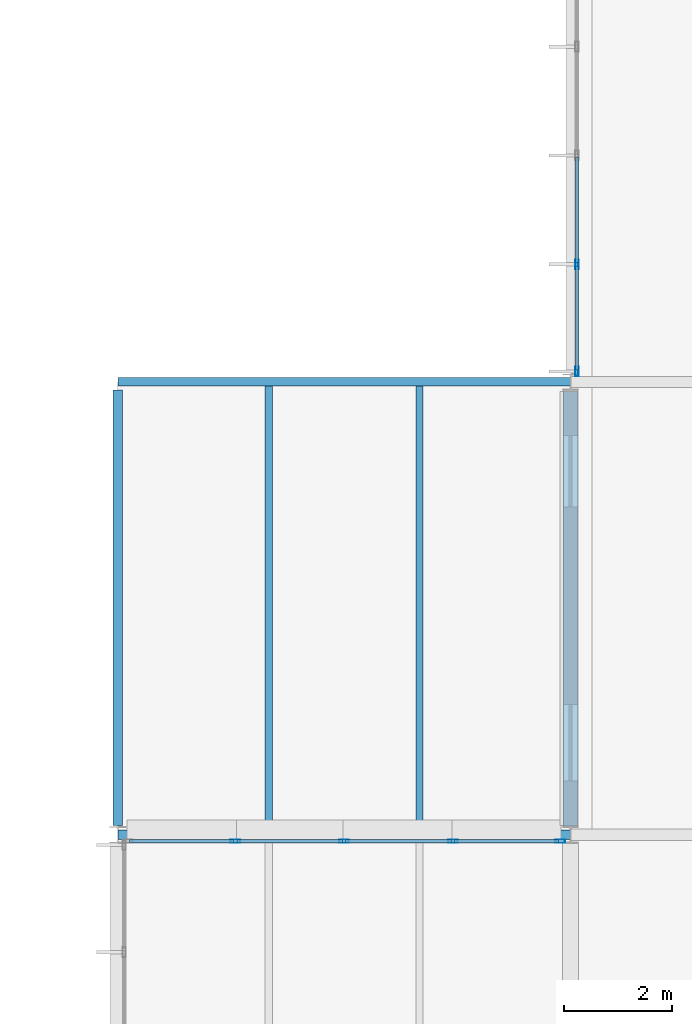
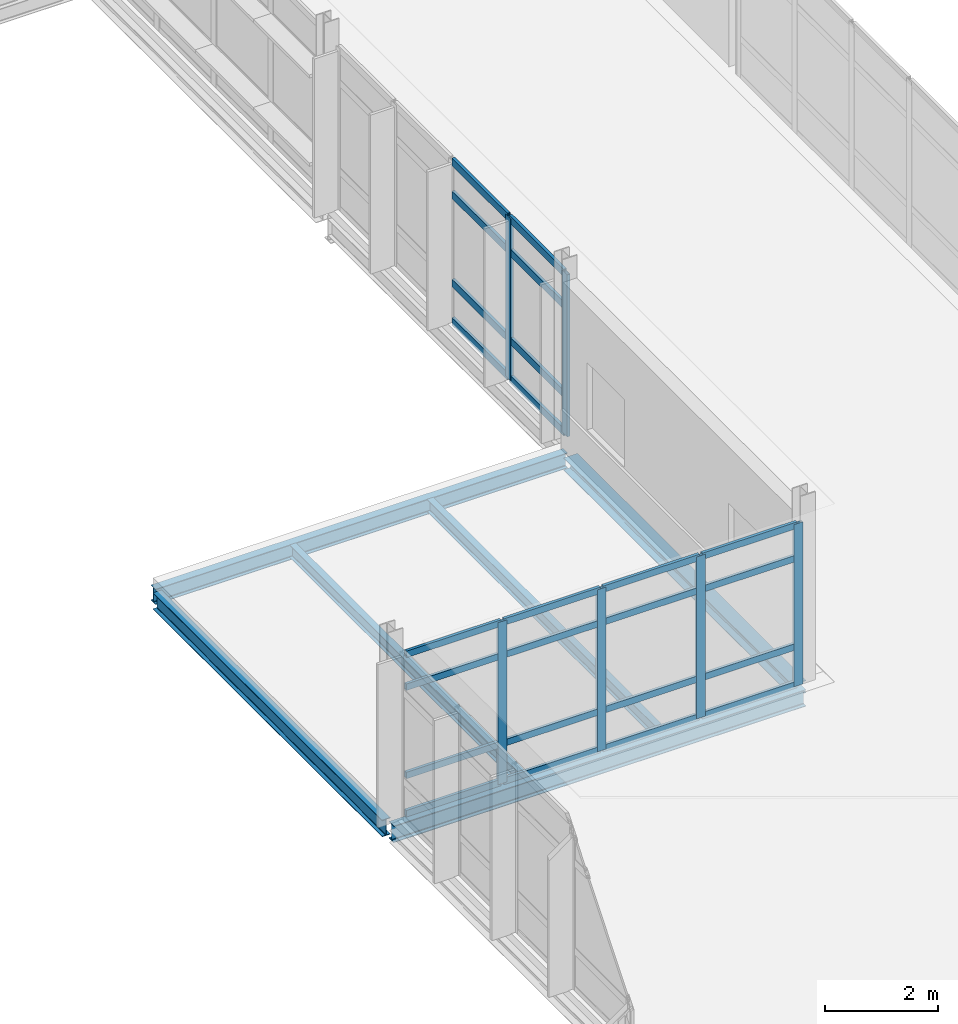
# One storey, part 31 of 66: 30 members, 6 beams, 2 elements without a shape of their own.
"""IFC4 building model written with IfcOpenShell, lengths in metres."""

from ifc_helpers import new_model, si_unit, direction, frame, origin, origin_2d, place, context, subcontext, project, spatial, hollow_rectangle, i_section, extrude, material, material_profile, profile_set, type_object, element, aggregate, save


model = new_model("IFC4")

# Units and contexts
model_context = context("Model", 3, precision=1e-05, world=origin(), true_north=direction((0.0, 1.0)))
body_context = subcontext(model_context, "Body", "Model", "MODEL_VIEW")
ifc_project = project(units=[si_unit("LENGTHUNIT", "METRE"), si_unit("AREAUNIT", "SQUARE_METRE"), si_unit("VOLUMEUNIT", "CUBIC_METRE"), si_unit("PLANEANGLEUNIT", "RADIAN"), si_unit("MASSUNIT", "GRAM", prefix="KILO")], contexts=[model_context])

# Site, building, storey
site_placement = place(None, origin())
site = spatial("IfcSite", under=ifc_project, at=site_placement, CompositionType="ELEMENT")
building_placement = place(site_placement, origin())
building = spatial("IfcBuilding", under=site, at=building_placement, Name="Mersafa Astral City Hall", CompositionType="ELEMENT")
storey_placement = place(building_placement, frame((0.0, 0.0, 22.050048828125)))
storey = spatial("IfcBuildingStorey", under=building, at=storey_placement, Name="L05", CompositionType="ELEMENT", Elevation=22.050048828125)

# Curtain wall, members
ifc_material_1 = material(Name="Anodised bronze aluminium framing", Category="aluminium")
curtain_wall_type_1 = type_object("IfcCurtainWallType", Name="ENV-CW-1", PredefinedType="USERDEFINED", material=ifc_material_1)
curtain_wall_1_placement = place(storey_placement, origin())
curtain_wall_1 = element("IfcCurtainWall", 1, at=curtain_wall_1_placement, inside=storey, type_object=curtain_wall_type_1, Name="L05 Unitised solar curtain wall 246", ObjectType="UNITISED CURTAIN WALL", PredefinedType="USERDEFINED")
ifc_material_profile_1 = material_profile(ifc_material_1, hollow_rectangle(XDim=0.06005859375, YDim=0.179931640625, WallThickness=0.00390625, at=origin_2d()), Name="RHS 60x180x4")
ifc_profile_set_1 = profile_set([ifc_material_profile_1], Name="Anodised bronze aluminium framing")
member_type_1 = type_object("IfcMemberType", Name="ENV-CW-MUL-1", PredefinedType="MULLION", material=ifc_profile_set_1)
member_1_placement = place(storey_placement, frame((168.1201171875, 86.180908203125, -0.001953125), z_axis=(0.0, 0.0, 1.0), x_axis=(1.0, 0.0, 0.0)))
member_1 = element("IfcMember", 2, at=member_1_placement, type_object=member_type_1, Name="CW-1 mullion 4", PredefinedType="MULLION", context=body_context, shape_type="SweptSolid", body=[
    extrude(hollow_rectangle(XDim=0.06005859375, YDim=0.179931640625, WallThickness=0.00390625, at=origin_2d()), origin(), (0.0, 0.0, 1.0), 3.489013671875),
])
member_2_placement = place(storey_placement, frame((168.1201171875, 84.19189453125, -0.001953125), z_axis=(0.0, 0.0, 1.0), x_axis=(1.0, 0.0, 0.0)))
member_2 = element("IfcMember", 3, at=member_2_placement, type_object=member_type_1, Name="CW-1 mullion 5", PredefinedType="MULLION", context=body_context, shape_type="SweptSolid", body=[
    extrude(hollow_rectangle(XDim=0.06005859375, YDim=0.179931640625, WallThickness=0.00390625, at=origin_2d()), origin(), (0.0, 0.0, 1.0), 3.489013671875),
])

curtain_wall_type_2 = type_object("IfcCurtainWallType", Name="ENV-CW-2", PredefinedType="USERDEFINED", material=ifc_material_1)
curtain_wall_2_placement = place(storey_placement, origin())
curtain_wall_2 = element("IfcCurtainWall", 4, at=curtain_wall_2_placement, inside=storey, type_object=curtain_wall_type_2, Name="L05 Unitised solar curtain wall 247", ObjectType="UNITISED CURTAIN WALL", PredefinedType="USERDEFINED")
member_3_placement = place(storey_placement, frame((167.80810546875, 75.47998046875, -0.001953125), z_axis=(0.0, 0.0, 1.0), x_axis=(0.0, -1.0, 0.0)))
member_3 = element("IfcMember", 5, at=member_3_placement, type_object=member_type_1, Name="CW-2 mullion 1", PredefinedType="MULLION", context=body_context, shape_type="SweptSolid", body=[
    extrude(hollow_rectangle(XDim=0.06005859375, YDim=0.179931640625, WallThickness=0.00390625, at=origin_2d()), origin(), (0.0, 0.0, 1.0), 3.489013671875),
])
member_4_placement = place(storey_placement, frame((165.819091796875, 75.47998046875, -0.001953125), z_axis=(0.0, 0.0, 1.0), x_axis=(0.0, -1.0, 0.0)))
member_4 = element("IfcMember", 6, at=member_4_placement, type_object=member_type_1, Name="CW-2 mullion 2", PredefinedType="MULLION", context=body_context, shape_type="SweptSolid", body=[
    extrude(hollow_rectangle(XDim=0.06005859375, YDim=0.179931640625, WallThickness=0.00390625, at=origin_2d()), origin(), (0.0, 0.0, 1.0), 3.489013671875),
])
member_5_placement = place(storey_placement, frame((163.800048828125, 75.47998046875, -0.001953125), z_axis=(0.0, 0.0, 1.0), x_axis=(0.0, -1.0, 0.0)))
member_5 = element("IfcMember", 7, at=member_5_placement, type_object=member_type_1, Name="CW-2 mullion 3", PredefinedType="MULLION", context=body_context, shape_type="SweptSolid", body=[
    extrude(hollow_rectangle(XDim=0.06005859375, YDim=0.179931640625, WallThickness=0.00390625, at=origin_2d()), origin(), (0.0, 0.0, 1.0), 3.489013671875),
])
member_6_placement = place(storey_placement, frame((161.781005859375, 75.47998046875, -0.001953125), z_axis=(0.0, 0.0, 1.0), x_axis=(0.0, -1.0, 0.0)))
member_6 = element("IfcMember", 8, at=member_6_placement, type_object=member_type_1, Name="CW-2 mullion 4", PredefinedType="MULLION", context=body_context, shape_type="SweptSolid", body=[
    extrude(hollow_rectangle(XDim=0.06005859375, YDim=0.179931640625, WallThickness=0.00390625, at=origin_2d()), origin(), (0.0, 0.0, 1.0), 3.489013671875),
])
ifc_material_profile_2 = material_profile(ifc_material_1, hollow_rectangle(XDim=0.06005859375, YDim=0.139892578125, WallThickness=0.00390625, at=origin_2d()), Name="RHS 60x140x4")
ifc_profile_set_2 = profile_set([ifc_material_profile_2], Name="Anodised bronze aluminium framing")
member_type_2 = type_object("IfcMemberType", Name="ENV-CW-TRN-1", PredefinedType="USERDEFINED", material=ifc_profile_set_2)
member_7_placement = place(storey_placement, frame((167.778076171875, 75.47998046875, 0.02783203125), z_axis=(-1.0, 0.0, 0.0), x_axis=(0.0, -1.0, 0.0)))
member_7 = element("IfcMember", 9, at=member_7_placement, type_object=member_type_2, Name="CW-2 transom 1.1", ObjectType="TRANSOM", PredefinedType="USERDEFINED", context=body_context, shape_type="SweptSolid", body=[
    extrude(hollow_rectangle(XDim=0.06005859375, YDim=0.139892578125, WallThickness=0.00390625, at=origin_2d()), origin(), (0.0, 0.0, 1.0), 1.928955078125),
])
member_8_placement = place(storey_placement, frame((167.778076171875, 75.47998046875, 0.849853515625), z_axis=(-1.0, 0.0, 0.0), x_axis=(0.0, -1.0, 0.0)))
member_8 = element("IfcMember", 10, at=member_8_placement, type_object=member_type_2, Name="CW-2 transom 1.2", ObjectType="TRANSOM", PredefinedType="USERDEFINED", context=body_context, shape_type="SweptSolid", body=[
    extrude(hollow_rectangle(XDim=0.06005859375, YDim=0.139892578125, WallThickness=0.00390625, at=origin_2d()), origin(), (0.0, 0.0, 1.0), 1.928955078125),
])
member_9_placement = place(storey_placement, frame((167.778076171875, 75.47998046875, 2.75), z_axis=(-1.0, 0.0, 0.0), x_axis=(0.0, -1.0, 0.0)))
member_9 = element("IfcMember", 11, at=member_9_placement, type_object=member_type_2, Name="CW-2 transom 1.3", ObjectType="TRANSOM", PredefinedType="USERDEFINED", context=body_context, shape_type="SweptSolid", body=[
    extrude(hollow_rectangle(XDim=0.06005859375, YDim=0.139892578125, WallThickness=0.00390625, at=origin_2d()), origin(), (0.0, 0.0, 1.0), 1.928955078125),
])
member_10_placement = place(storey_placement, frame((167.778076171875, 75.47998046875, 3.45703125), z_axis=(-1.0, 0.0, 0.0), x_axis=(0.0, -1.0, 0.0)))
member_10 = element("IfcMember", 12, at=member_10_placement, type_object=member_type_2, Name="CW-2 transom 1.4", ObjectType="TRANSOM", PredefinedType="USERDEFINED", context=body_context, shape_type="SweptSolid", body=[
    extrude(hollow_rectangle(XDim=0.06005859375, YDim=0.139892578125, WallThickness=0.00390625, at=origin_2d()), origin(), (0.0, 0.0, 1.0), 1.928955078125),
])
member_11_placement = place(storey_placement, frame((165.7890625, 75.47998046875, 0.02783203125), z_axis=(-1.0, 0.0, 0.0), x_axis=(0.0, -1.0, 0.0)))
member_11 = element("IfcMember", 13, at=member_11_placement, type_object=member_type_2, Name="CW-2 transom 2.1", ObjectType="TRANSOM", PredefinedType="USERDEFINED", context=body_context, shape_type="SweptSolid", body=[
    extrude(hollow_rectangle(XDim=0.06005859375, YDim=0.139892578125, WallThickness=0.00390625, at=origin_2d()), origin(), (0.0, 0.0, 1.0), 1.958984375),
])
member_12_placement = place(storey_placement, frame((165.7890625, 75.47998046875, 0.849853515625), z_axis=(-1.0, 0.0, 0.0), x_axis=(0.0, -1.0, 0.0)))
member_12 = element("IfcMember", 14, at=member_12_placement, type_object=member_type_2, Name="CW-2 transom 2.2", ObjectType="TRANSOM", PredefinedType="USERDEFINED", context=body_context, shape_type="SweptSolid", body=[
    extrude(hollow_rectangle(XDim=0.06005859375, YDim=0.139892578125, WallThickness=0.00390625, at=origin_2d()), origin(), (0.0, 0.0, 1.0), 1.958984375),
])
member_13_placement = place(storey_placement, frame((165.7890625, 75.47998046875, 2.75), z_axis=(-1.0, 0.0, 0.0), x_axis=(0.0, -1.0, 0.0)))
member_13 = element("IfcMember", 15, at=member_13_placement, type_object=member_type_2, Name="CW-2 transom 2.3", ObjectType="TRANSOM", PredefinedType="USERDEFINED", context=body_context, shape_type="SweptSolid", body=[
    extrude(hollow_rectangle(XDim=0.06005859375, YDim=0.139892578125, WallThickness=0.00390625, at=origin_2d()), origin(), (0.0, 0.0, 1.0), 1.958984375),
])
member_14_placement = place(storey_placement, frame((165.7890625, 75.47998046875, 3.45703125), z_axis=(-1.0, 0.0, 0.0), x_axis=(0.0, -1.0, 0.0)))
member_14 = element("IfcMember", 16, at=member_14_placement, type_object=member_type_2, Name="CW-2 transom 2.4", ObjectType="TRANSOM", PredefinedType="USERDEFINED", context=body_context, shape_type="SweptSolid", body=[
    extrude(hollow_rectangle(XDim=0.06005859375, YDim=0.139892578125, WallThickness=0.00390625, at=origin_2d()), origin(), (0.0, 0.0, 1.0), 1.958984375),
])
member_15_placement = place(storey_placement, frame((163.77001953125, 75.47998046875, 0.02783203125), z_axis=(-1.0, 0.0, 0.0), x_axis=(0.0, -1.0, 0.0)))
member_15 = element("IfcMember", 17, at=member_15_placement, type_object=member_type_2, Name="CW-2 transom 3.1", ObjectType="TRANSOM", PredefinedType="USERDEFINED", context=body_context, shape_type="SweptSolid", body=[
    extrude(hollow_rectangle(XDim=0.06005859375, YDim=0.139892578125, WallThickness=0.00390625, at=origin_2d()), origin(), (0.0, 0.0, 1.0), 1.958984375),
])
member_16_placement = place(storey_placement, frame((163.77001953125, 75.47998046875, 0.849853515625), z_axis=(-1.0, 0.0, 0.0), x_axis=(0.0, -1.0, 0.0)))
member_16 = element("IfcMember", 18, at=member_16_placement, type_object=member_type_2, Name="CW-2 transom 3.2", ObjectType="TRANSOM", PredefinedType="USERDEFINED", context=body_context, shape_type="SweptSolid", body=[
    extrude(hollow_rectangle(XDim=0.06005859375, YDim=0.139892578125, WallThickness=0.00390625, at=origin_2d()), origin(), (0.0, 0.0, 1.0), 1.958984375),
])
member_17_placement = place(storey_placement, frame((163.77001953125, 75.47998046875, 2.75), z_axis=(-1.0, 0.0, 0.0), x_axis=(0.0, -1.0, 0.0)))
member_17 = element("IfcMember", 19, at=member_17_placement, type_object=member_type_2, Name="CW-2 transom 3.3", ObjectType="TRANSOM", PredefinedType="USERDEFINED", context=body_context, shape_type="SweptSolid", body=[
    extrude(hollow_rectangle(XDim=0.06005859375, YDim=0.139892578125, WallThickness=0.00390625, at=origin_2d()), origin(), (0.0, 0.0, 1.0), 1.958984375),
])
member_18_placement = place(storey_placement, frame((163.77001953125, 75.47998046875, 3.45703125), z_axis=(-1.0, 0.0, 0.0), x_axis=(0.0, -1.0, 0.0)))
member_18 = element("IfcMember", 20, at=member_18_placement, type_object=member_type_2, Name="CW-2 transom 3.4", ObjectType="TRANSOM", PredefinedType="USERDEFINED", context=body_context, shape_type="SweptSolid", body=[
    extrude(hollow_rectangle(XDim=0.06005859375, YDim=0.139892578125, WallThickness=0.00390625, at=origin_2d()), origin(), (0.0, 0.0, 1.0), 1.958984375),
])
member_19_placement = place(storey_placement, frame((161.7509765625, 75.47998046875, 0.02783203125), z_axis=(-1.0, 0.0, 0.0), x_axis=(0.0, -1.0, 0.0)))
member_19 = element("IfcMember", 21, at=member_19_placement, type_object=member_type_2, Name="CW-2 transom 4.1", ObjectType="TRANSOM", PredefinedType="USERDEFINED", context=body_context, shape_type="SweptSolid", body=[
    extrude(hollow_rectangle(XDim=0.06005859375, YDim=0.139892578125, WallThickness=0.00390625, at=origin_2d()), origin(), (0.0, 0.0, 1.0), 1.928955078125),
])
member_20_placement = place(storey_placement, frame((161.7509765625, 75.47998046875, 0.849853515625), z_axis=(-1.0, 0.0, 0.0), x_axis=(0.0, -1.0, 0.0)))
member_20 = element("IfcMember", 22, at=member_20_placement, type_object=member_type_2, Name="CW-2 transom 4.2", ObjectType="TRANSOM", PredefinedType="USERDEFINED", context=body_context, shape_type="SweptSolid", body=[
    extrude(hollow_rectangle(XDim=0.06005859375, YDim=0.139892578125, WallThickness=0.00390625, at=origin_2d()), origin(), (0.0, 0.0, 1.0), 1.928955078125),
])
member_21_placement = place(storey_placement, frame((161.7509765625, 75.47998046875, 2.75), z_axis=(-1.0, 0.0, 0.0), x_axis=(0.0, -1.0, 0.0)))
member_21 = element("IfcMember", 23, at=member_21_placement, type_object=member_type_2, Name="CW-2 transom 4.3", ObjectType="TRANSOM", PredefinedType="USERDEFINED", context=body_context, shape_type="SweptSolid", body=[
    extrude(hollow_rectangle(XDim=0.06005859375, YDim=0.139892578125, WallThickness=0.00390625, at=origin_2d()), origin(), (0.0, 0.0, 1.0), 1.928955078125),
])
member_22_placement = place(storey_placement, frame((161.7509765625, 75.47998046875, 3.45703125), z_axis=(-1.0, 0.0, 0.0), x_axis=(0.0, -1.0, 0.0)))
member_22 = element("IfcMember", 24, at=member_22_placement, type_object=member_type_2, Name="CW-2 transom 4.4", ObjectType="TRANSOM", PredefinedType="USERDEFINED", context=body_context, shape_type="SweptSolid", body=[
    extrude(hollow_rectangle(XDim=0.06005859375, YDim=0.139892578125, WallThickness=0.00390625, at=origin_2d()), origin(), (0.0, 0.0, 1.0), 1.928955078125),
])
aggregate(curtain_wall_2, [member_3, member_4, member_5, member_6, member_7, member_8, member_9, member_10, member_11, member_12, member_13, member_14, member_15, member_16, member_17, member_18, member_19, member_20, member_21, member_22])

# Member
ifc_material_profile_3 = material_profile(ifc_material_1, hollow_rectangle(XDim=0.06005859375, YDim=0.159912109375, WallThickness=0.00390625, at=origin_2d()), Name="RHS 60x160x4")
ifc_profile_set_3 = profile_set([ifc_material_profile_3], Name="Anodised bronze aluminium framing")
member_type_3 = type_object("IfcMemberType", Name="ENV-CW-TRN-2", PredefinedType="USERDEFINED", material=ifc_profile_set_3)
member_23_placement = place(storey_placement, frame((168.1201171875, 88.169921875, 0.02783203125), z_axis=(0.0, -1.0, 0.0), x_axis=(1.0, 0.0, 0.0)))
member_23 = element("IfcMember", 25, at=member_23_placement, type_object=member_type_3, Name="CW-1 transom 3.1", ObjectType="TRANSOM", PredefinedType="USERDEFINED", context=body_context, shape_type="SweptSolid", body=[
    extrude(hollow_rectangle(XDim=0.06005859375, YDim=0.159912109375, WallThickness=0.00390625, at=origin_2d()), origin(), (0.0, 0.0, 1.0), 1.958984375),
])

member_24_placement = place(storey_placement, frame((168.1201171875, 88.169921875, 0.849853515625), z_axis=(0.0, -1.0, 0.0), x_axis=(1.0, 0.0, 0.0)))
member_24 = element("IfcMember", 26, at=member_24_placement, type_object=member_type_3, Name="CW-1 transom 3.2", ObjectType="TRANSOM", PredefinedType="USERDEFINED", context=body_context, shape_type="SweptSolid", body=[
    extrude(hollow_rectangle(XDim=0.06005859375, YDim=0.159912109375, WallThickness=0.00390625, at=origin_2d()), origin(), (0.0, 0.0, 1.0), 1.958984375),
])

member_25_placement = place(storey_placement, frame((168.1201171875, 88.169921875, 2.75), z_axis=(0.0, -1.0, 0.0), x_axis=(1.0, 0.0, 0.0)))
member_25 = element("IfcMember", 27, at=member_25_placement, type_object=member_type_3, Name="CW-1 transom 3.3", ObjectType="TRANSOM", PredefinedType="USERDEFINED", context=body_context, shape_type="SweptSolid", body=[
    extrude(hollow_rectangle(XDim=0.06005859375, YDim=0.159912109375, WallThickness=0.00390625, at=origin_2d()), origin(), (0.0, 0.0, 1.0), 1.958984375),
])

member_26_placement = place(storey_placement, frame((168.1201171875, 88.169921875, 3.45703125), z_axis=(0.0, -1.0, 0.0), x_axis=(1.0, 0.0, 0.0)))
member_26 = element("IfcMember", 28, at=member_26_placement, type_object=member_type_3, Name="CW-1 transom 3.4", ObjectType="TRANSOM", PredefinedType="USERDEFINED", context=body_context, shape_type="SweptSolid", body=[
    extrude(hollow_rectangle(XDim=0.06005859375, YDim=0.159912109375, WallThickness=0.00390625, at=origin_2d()), origin(), (0.0, 0.0, 1.0), 1.958984375),
])

member_27_placement = place(storey_placement, frame((168.1201171875, 86.15087890625, 0.02783203125), z_axis=(0.0, -1.0, 0.0), x_axis=(1.0, 0.0, 0.0)))
member_27 = element("IfcMember", 29, at=member_27_placement, type_object=member_type_3, Name="CW-1 transom 4.1", ObjectType="TRANSOM", PredefinedType="USERDEFINED", context=body_context, shape_type="SweptSolid", body=[
    extrude(hollow_rectangle(XDim=0.06005859375, YDim=0.159912109375, WallThickness=0.00390625, at=origin_2d()), origin(), (0.0, 0.0, 1.0), 1.928955078125),
])

member_28_placement = place(storey_placement, frame((168.1201171875, 86.15087890625, 0.849853515625), z_axis=(0.0, -1.0, 0.0), x_axis=(1.0, 0.0, 0.0)))
member_28 = element("IfcMember", 30, at=member_28_placement, type_object=member_type_3, Name="CW-1 transom 4.2", ObjectType="TRANSOM", PredefinedType="USERDEFINED", context=body_context, shape_type="SweptSolid", body=[
    extrude(hollow_rectangle(XDim=0.06005859375, YDim=0.159912109375, WallThickness=0.00390625, at=origin_2d()), origin(), (0.0, 0.0, 1.0), 1.928955078125),
])

member_29_placement = place(storey_placement, frame((168.1201171875, 86.15087890625, 2.75), z_axis=(0.0, -1.0, 0.0), x_axis=(1.0, 0.0, 0.0)))
member_29 = element("IfcMember", 31, at=member_29_placement, type_object=member_type_3, Name="CW-1 transom 4.3", ObjectType="TRANSOM", PredefinedType="USERDEFINED", context=body_context, shape_type="SweptSolid", body=[
    extrude(hollow_rectangle(XDim=0.06005859375, YDim=0.159912109375, WallThickness=0.00390625, at=origin_2d()), origin(), (0.0, 0.0, 1.0), 1.928955078125),
])

member_30_placement = place(storey_placement, frame((168.1201171875, 86.15087890625, 3.45703125), z_axis=(0.0, -1.0, 0.0), x_axis=(1.0, 0.0, 0.0)))
member_30 = element("IfcMember", 32, at=member_30_placement, type_object=member_type_3, Name="CW-1 transom 4.4", ObjectType="TRANSOM", PredefinedType="USERDEFINED", context=body_context, shape_type="SweptSolid", body=[
    extrude(hollow_rectangle(XDim=0.06005859375, YDim=0.159912109375, WallThickness=0.00390625, at=origin_2d()), origin(), (0.0, 0.0, 1.0), 1.928955078125),
])

aggregate(curtain_wall_1, [member_1, member_2, member_23, member_24, member_25, member_26, member_27, member_28, member_29, member_30])

# Beams
ifc_material_2 = material(Name="Steel S355", Category="steel")
ifc_material_profile_4 = material_profile(ifc_material_2, i_section(OverallWidth=0.135009765625, OverallDepth=0.27001953125, WebThickness=0.006591796875, FlangeThickness=0.01025390625, FilletRadius=0.014892578125, at=origin_2d()), Name="IPE 270")
ifc_profile_set_4 = profile_set([ifc_material_profile_4], Name="Steel S355")
beam_type_1 = type_object("IfcBeamType", Name="STR-BM-JOIST-IPE270", PredefinedType="JOIST", material=ifc_profile_set_4)
for number, where, z_axis, x_axis, name in (
    (33, (162.39990234375, 75.679931640625, -0.3349609375), (0.0, 1.0, 0.0), (-1.0, 0.0, 0.0), "L05 Flat roof secondary joist 33"),
    (34, (165.199951171875, 75.679931640625, -0.3349609375), (0.0, 1.0, 0.0), (-1.0, 0.0, 0.0), "L05 Flat roof secondary joist 34"),
):
    element("IfcBeam", number, at=place(storey_placement, frame(where, z_axis=z_axis, x_axis=x_axis)), inside=storey, type_object=beam_type_1, Name=name, PredefinedType="JOIST", context=body_context, shape_type="SweptSolid", body=[
        extrude(i_section(OverallWidth=0.135009765625, OverallDepth=0.27001953125, WebThickness=0.006591796875, FlangeThickness=0.01025390625, FilletRadius=0.014892578125, at=origin_2d()), origin(), (0.0, 0.0, 1.0), 8.2451171875),
    ])
ifc_material_profile_5 = material_profile(ifc_material_2, i_section(OverallWidth=0.280029296875, OverallDepth=0.27001953125, WebThickness=0.008056640625, FlangeThickness=0.012939453125, FilletRadius=0.02392578125, at=origin_2d()), Name="HEA 280")
ifc_profile_set_5 = profile_set([ifc_material_profile_5], Name="Steel S355")
beam_type_2 = type_object("IfcBeamType", Name="STR-BM-SPANDREL-HEA280", PredefinedType="SPANDREL", material=ifc_profile_set_5)
beam_1_placement = place(storey_placement, frame((168.0, 75.764892578125, -0.3349609375), z_axis=(0.0, 1.0, 0.0), x_axis=(-1.0, 0.0, 0.0)))
element("IfcBeam", 35, at=beam_1_placement, inside=storey, type_object=beam_type_2, Name="L05 Primary girder Y 20-9", PredefinedType="SPANDREL", context=body_context, shape_type="SweptSolid", body=[
    extrude(i_section(OverallWidth=0.280029296875, OverallDepth=0.27001953125, WebThickness=0.008056640625, FlangeThickness=0.012939453125, FilletRadius=0.02392578125, at=origin_2d()), origin(), (0.0, 0.0, 1.0), 8.06005859375),
])
ifc_material_profile_6 = material_profile(ifc_material_2, i_section(OverallWidth=0.159912109375, OverallDepth=0.330078125, WebThickness=0.007568359375, FlangeThickness=0.011474609375, FilletRadius=0.01806640625, at=origin_2d()), Name="IPE 330")
ifc_profile_set_6 = profile_set([ifc_material_profile_6], Name="Steel S355")
beam_type_3 = type_object("IfcBeamType", Name="STR-BM-SPANDREL-IPE330", PredefinedType="SPANDREL", material=ifc_profile_set_6)
beam_2_placement = place(storey_placement, frame((159.60302734375, 84.0, -0.364990234375), z_axis=(1.0, 0.0, 0.0), x_axis=(0.0, 1.0, 0.0)))
element("IfcBeam", 36, at=beam_2_placement, inside=storey, type_object=beam_type_3, Name="L05 Primary girder X 19-10", PredefinedType="SPANDREL", context=body_context, shape_type="SweptSolid", body=[
    extrude(i_section(OverallWidth=0.159912109375, OverallDepth=0.330078125, WebThickness=0.007568359375, FlangeThickness=0.011474609375, FilletRadius=0.01806640625, at=origin_2d()), origin(), (0.0, 0.0, 1.0), 8.39404296875),
])
ifc_material_profile_7 = material_profile(ifc_material_2, i_section(OverallWidth=0.169921875, OverallDepth=0.360107421875, WebThickness=0.008056640625, FlangeThickness=0.0126953125, FilletRadius=0.01806640625, at=origin_2d()), Name="IPE 360")
ifc_profile_set_7 = profile_set([ifc_material_profile_7], Name="Steel S355")
beam_type_4 = type_object("IfcBeamType", Name="STR-BM-SPANDREL-IPE360", PredefinedType="SPANDREL", material=ifc_profile_set_7)
beam_3_placement = place(storey_placement, frame((159.60302734375, 75.60009765625, -0.380126953125), z_axis=(1.0, 0.0, 0.0), x_axis=(0.0, 1.0, 0.0)))
element("IfcBeam", 37, at=beam_3_placement, inside=storey, type_object=beam_type_4, Name="L05 Primary girder X 19-9", PredefinedType="SPANDREL", context=body_context, shape_type="SweptSolid", body=[
    extrude(i_section(OverallWidth=0.169921875, OverallDepth=0.360107421875, WebThickness=0.008056640625, FlangeThickness=0.0126953125, FilletRadius=0.01806640625, at=origin_2d()), origin(), (0.0, 0.0, 1.0), 8.39404296875),
])
beam_4_placement = place(storey_placement, frame((159.60009765625, 75.77490234375, -0.380126953125), z_axis=(0.0, 1.0, 0.0), x_axis=(-1.0, 0.0, 0.0)))
element("IfcBeam", 38, at=beam_4_placement, inside=storey, type_object=beam_type_4, Name="L05 Primary girder Y 19-9", PredefinedType="SPANDREL", context=body_context, shape_type="SweptSolid", body=[
    extrude(i_section(OverallWidth=0.169921875, OverallDepth=0.360107421875, WebThickness=0.008056640625, FlangeThickness=0.0126953125, FilletRadius=0.01806640625, at=origin_2d()), origin(), (0.0, 0.0, 1.0), 8.080078125),
])

save(model, "model.ifc")
